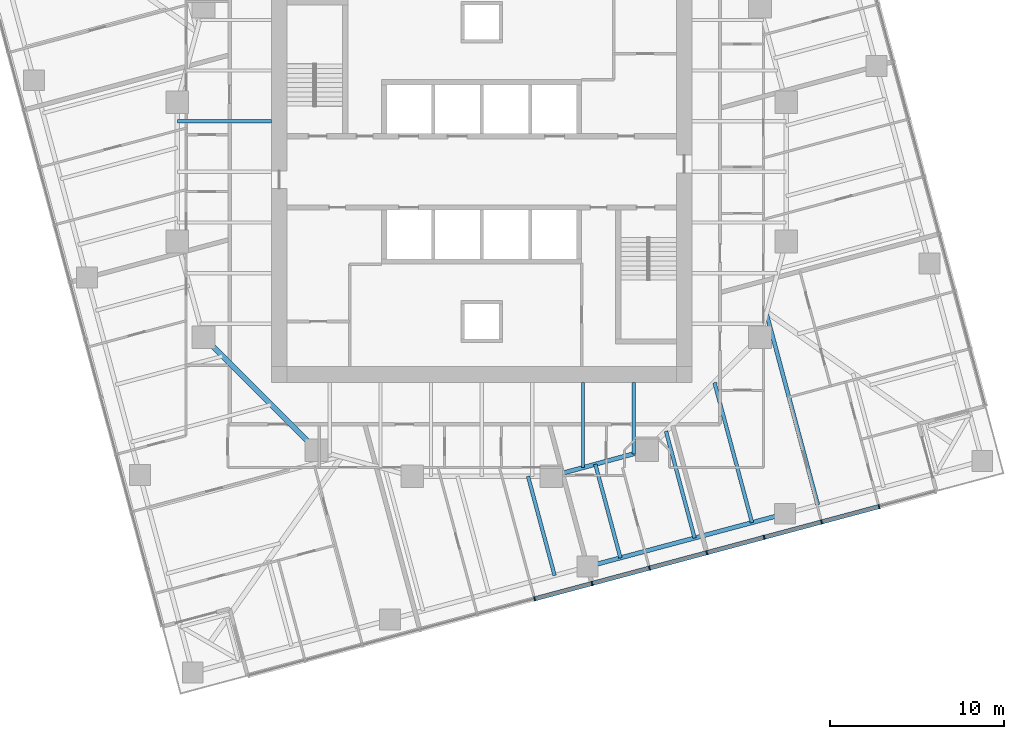
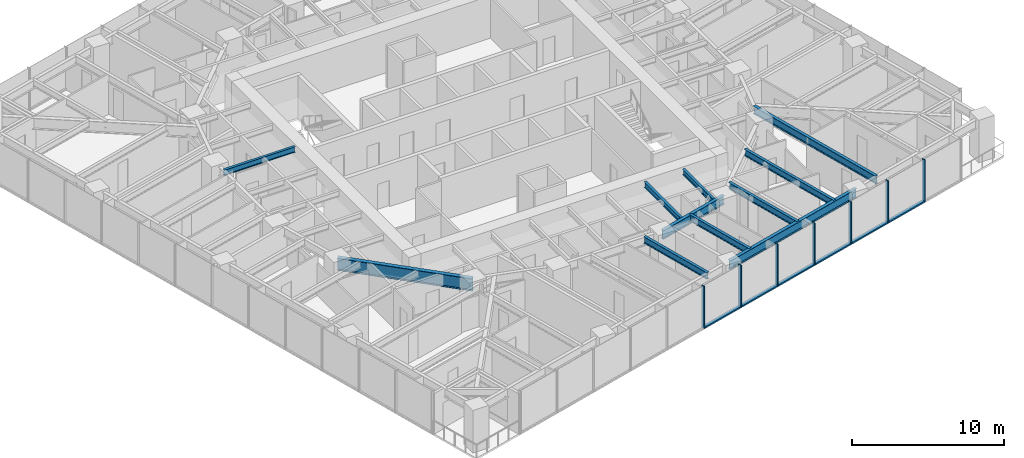
# One storey, part 3 of 14: 13 members, 11 beams, 1 element without a shape of its own.
"""IFC4 building model written with IfcOpenShell, lengths in metres."""

from ifc_helpers import new_model, si_unit, direction, frame, origin, origin_2d, place, context, subcontext, project, spatial, rectangle, i_section, extrude, material, material_profile, profile_set, type_object, element, aggregate, save


model = new_model("IFC4")

# Units and contexts
model_context = context("Model", 3, precision=1e-05, world=origin(), true_north=direction((0.0, 1.0)))
body_context = subcontext(model_context, "Body", "Model", "MODEL_VIEW")
ifc_project = project(units=[si_unit("LENGTHUNIT", "METRE"), si_unit("AREAUNIT", "SQUARE_METRE"), si_unit("VOLUMEUNIT", "CUBIC_METRE"), si_unit("PLANEANGLEUNIT", "RADIAN"), si_unit("MASSUNIT", "GRAM", prefix="KILO")], contexts=[model_context])

# Site, building, storey
site_placement = place(None, origin())
site = spatial("IfcSite", under=ifc_project, at=site_placement, CompositionType="ELEMENT")
building_placement = place(site_placement, origin())
building = spatial("IfcBuilding", under=site, at=building_placement, Name="Torsade Residences", CompositionType="ELEMENT")
storey_placement = place(building_placement, frame((0.0, 0.0, 125.199951171875)))
storey = spatial("IfcBuildingStorey", under=building, at=storey_placement, Name="L34", CompositionType="ELEMENT", Elevation=125.199951171875)

# Beams
ifc_material_1 = material(Name="Steel grade 300", Category="steel")
ifc_material_profile_1 = material_profile(ifc_material_1, i_section(OverallWidth=0.25, OverallDepth=0.699951171875, WebThickness=0.010009765625, FlangeThickness=0.02001953125, at=origin_2d()), Name="700WB130")
ifc_profile_set_1 = profile_set([ifc_material_profile_1], Name="Steel grade 300")
beam_type_1 = type_object("IfcBeamType", Name="EDGE BEAM 700WB130", PredefinedType="SPANDREL", material=ifc_profile_set_1)
beam_1_placement = place(storey_placement, frame((46.082275390625, 7.30078125, 2.900146484375), z_axis=(0.965928018634, 0.258810863021, 0.0), x_axis=(-0.258810863021, 0.965928018634, 0.0)))
element("IfcBeam", 1, at=beam_1_placement, inside=storey, type_object=beam_type_1, Name="Edge beam 03 L35", PredefinedType="SPANDREL", context=body_context, shape_type="SweptSolid", body=[
    extrude(i_section(OverallWidth=0.25, OverallDepth=0.699951171875, WebThickness=0.010009765625, FlangeThickness=0.02001953125, at=origin_2d()), origin(), (0.0, 0.0, 1.0), 11.75),
])
ifc_material_2 = material(Name="Steel grade 300", Category="steel")
ifc_material_profile_2 = material_profile(ifc_material_2, i_section(OverallWidth=0.18994140625, OverallDepth=0.4541015625, WebThickness=0.008544921875, FlangeThickness=0.0126953125, FilletRadius=0.011474609375, at=origin_2d()), Name="460UB67.1")
ifc_profile_set_2 = profile_set([ifc_material_profile_2], Name="Steel grade 300")
beam_type_2 = type_object("IfcBeamType", Name="INNER FLOOR BEAM 460UB67.1", PredefinedType="JOIST", material=ifc_profile_set_2)
beam_2_placement = place(storey_placement, frame((48.737548828125, 17.89990234375, 3.02294921875), z_axis=(0.0, -1.0, 0.0), x_axis=(1.0, 0.0, 0.0)))
element("IfcBeam", 2, at=beam_2_placement, inside=storey, type_object=beam_type_2, Name="Inner floor beam IS01 L35", PredefinedType="JOIST", context=body_context, shape_type="SweptSolid", body=[
    extrude(i_section(OverallWidth=0.18994140625, OverallDepth=0.4541015625, WebThickness=0.008544921875, FlangeThickness=0.0126953125, FilletRadius=0.011474609375, at=origin_2d()), origin(), (0.0, 0.0, 1.0), 4.10791015625),
])
beam_3_placement = place(storey_placement, frame((45.824951171875, 17.89990234375, 3.02294921875), z_axis=(0.0, -1.0, 0.0), x_axis=(1.0, 0.0, 0.0)))
element("IfcBeam", 3, at=beam_3_placement, inside=storey, type_object=beam_type_2, Name="Inner floor beam IS02 L35", PredefinedType="JOIST", context=body_context, shape_type="SweptSolid", body=[
    extrude(i_section(OverallWidth=0.18994140625, OverallDepth=0.4541015625, WebThickness=0.008544921875, FlangeThickness=0.0126953125, FilletRadius=0.011474609375, at=origin_2d()), origin(), (0.0, 0.0, 1.0), 4.902099609375),
])
beam_4_placement = place(storey_placement, frame((27.89990234375, 32.91259765625, 3.02294921875), z_axis=(-1.0, 0.0, 0.0), x_axis=(0.0, -1.0, 0.0)))
element("IfcBeam", 4, at=beam_4_placement, inside=storey, type_object=beam_type_2, Name="Inner floor beam IW03 L35", PredefinedType="JOIST", context=body_context, shape_type="SweptSolid", body=[
    extrude(i_section(OverallWidth=0.18994140625, OverallDepth=0.4541015625, WebThickness=0.008544921875, FlangeThickness=0.0126953125, FilletRadius=0.011474609375, at=origin_2d()), origin(), (0.0, 0.0, 1.0), 5.39990234375),
])

# Curtain wall, members
ifc_material_3 = material(Name="Aluminium and glass", Category="aluminium")
curtain_wall_type = type_object("IfcCurtainWallType", Name="FRITTED GLASS CURTAIN WALL MID ZONE", PredefinedType="NOTDEFINED", material=ifc_material_3)
curtain_wall_placement = place(storey_placement, origin())
curtain_wall = element("IfcCurtainWall", 5, at=curtain_wall_placement, inside=storey, type_object=curtain_wall_type, Name="Curtain wall L34 face 1", PredefinedType="NOTDEFINED")
ifc_material_4 = material(Name="Aluminium mullion", Category="aluminium")
ifc_material_profile_3 = material_profile(ifc_material_4, rectangle(XDim=0.25, YDim=0.080078125, at=origin_2d()), Name="MID ZONE CURTAIN WALL MULLION 250x80")
ifc_profile_set_3 = profile_set([ifc_material_profile_3], Name="Aluminium mullion")
member_type_1 = type_object("IfcMemberType", Name="MID ZONE CURTAIN WALL MULLION 250x80", PredefinedType="MULLION", material=ifc_profile_set_3)
member_1_placement = place(storey_placement, frame((43.040771484375, 5.450439453125, 0.0), z_axis=(0.0, 0.0, 1.0), x_axis=(-0.258819047783, 0.965925825571, 0.0)))
member_1 = element("IfcMember", 6, at=member_1_placement, type_object=member_type_1, Name="Mullion 6", PredefinedType="MULLION", context=body_context, shape_type="SweptSolid", body=[
    extrude(rectangle(XDim=0.25, YDim=0.080078125, at=origin_2d()), origin(), (0.0, 0.0, 1.0), 3.400146484375),
])
member_2_placement = place(storey_placement, frame((46.341064453125, 6.334716796875, 0.0), z_axis=(0.0, 0.0, 1.0), x_axis=(-0.258819047783, 0.965925825571, 0.0)))
member_2 = element("IfcMember", 7, at=member_2_placement, type_object=member_type_1, Name="Mullion 7", PredefinedType="MULLION", context=body_context, shape_type="SweptSolid", body=[
    extrude(rectangle(XDim=0.25, YDim=0.080078125, at=origin_2d()), origin(), (0.0, 0.0, 1.0), 3.400146484375),
])
member_3_placement = place(storey_placement, frame((49.641357421875, 7.218994140625, 0.0), z_axis=(0.0, 0.0, 1.0), x_axis=(-0.258819047783, 0.965925825571, 0.0)))
member_3 = element("IfcMember", 8, at=member_3_placement, type_object=member_type_1, Name="Mullion 8", PredefinedType="MULLION", context=body_context, shape_type="SweptSolid", body=[
    extrude(rectangle(XDim=0.25, YDim=0.080078125, at=origin_2d()), origin(), (0.0, 0.0, 1.0), 3.400146484375),
])
member_4_placement = place(storey_placement, frame((52.941650390625, 8.103515625, 0.0), z_axis=(0.0, 0.0, 1.0), x_axis=(-0.258819047783, 0.965925825571, 0.0)))
member_4 = element("IfcMember", 9, at=member_4_placement, type_object=member_type_1, Name="Mullion 9", PredefinedType="MULLION", context=body_context, shape_type="SweptSolid", body=[
    extrude(rectangle(XDim=0.25, YDim=0.080078125, at=origin_2d()), origin(), (0.0, 0.0, 1.0), 3.400146484375),
])
member_5_placement = place(storey_placement, frame((56.24169921875, 8.98779296875, 0.0), z_axis=(0.0, 0.0, 1.0), x_axis=(-0.258819047783, 0.965925825571, 0.0)))
member_5 = element("IfcMember", 10, at=member_5_placement, type_object=member_type_1, Name="Mullion 10", PredefinedType="MULLION", context=body_context, shape_type="SweptSolid", body=[
    extrude(rectangle(XDim=0.25, YDim=0.080078125, at=origin_2d()), origin(), (0.0, 0.0, 1.0), 3.400146484375),
])
member_6_placement = place(storey_placement, frame((59.5419921875, 9.8720703125, 0.0), z_axis=(0.0, 0.0, 1.0), x_axis=(-0.258819047783, 0.965925825571, 0.0)))
member_6 = element("IfcMember", 11, at=member_6_placement, type_object=member_type_1, Name="Mullion 11", PredefinedType="MULLION", context=body_context, shape_type="SweptSolid", body=[
    extrude(rectangle(XDim=0.25, YDim=0.080078125, at=origin_2d()), origin(), (0.0, 0.0, 1.0), 3.400146484375),
])
member_7_placement = place(storey_placement, frame((62.84228515625, 10.75634765625, 0.0), z_axis=(0.0, 0.0, 1.0), x_axis=(-0.258819047783, 0.965925825571, 0.0)))
member_7 = element("IfcMember", 12, at=member_7_placement, type_object=member_type_1, Name="Mullion 12", PredefinedType="MULLION", context=body_context, shape_type="SweptSolid", body=[
    extrude(rectangle(XDim=0.25, YDim=0.080078125, at=origin_2d()), origin(), (0.0, 0.0, 1.0), 3.400146484375),
])
ifc_material_5 = material(Name="Aluminium transom", Category="aluminium")
ifc_material_profile_4 = material_profile(ifc_material_5, rectangle(XDim=0.25, YDim=0.110107421875, at=origin_2d()), Name="MID ZONE CURTAIN WALL TRANSOM 250x110")
ifc_profile_set_4 = profile_set([ifc_material_profile_4], Name="Aluminium transom")
member_type_2 = type_object("IfcMemberType", Name="MID ZONE CURTAIN WALL TRANSOM 250x110", PredefinedType="USERDEFINED", material=ifc_profile_set_4)
member_8_placement = place(storey_placement, frame((43.079345703125, 5.4609375, 0.054931640625), z_axis=(0.965934335648, 0.258787285653, 0.0), x_axis=(-0.258787285653, 0.965934335648, 0.0)))
member_8 = element("IfcMember", 13, at=member_8_placement, type_object=member_type_2, Name="Transom 6.1", ObjectType="TRANSOM", PredefinedType="USERDEFINED", context=body_context, shape_type="SweptSolid", body=[
    extrude(rectangle(XDim=0.25, YDim=0.110107421875, at=origin_2d()), origin(), (0.0, 0.0, 1.0), 3.3369140625),
])
member_9_placement = place(storey_placement, frame((46.379638671875, 6.34521484375, 0.054931640625), z_axis=(0.965934335648, 0.258787285653, 0.0), x_axis=(-0.258787285653, 0.965934335648, 0.0)))
member_9 = element("IfcMember", 14, at=member_9_placement, type_object=member_type_2, Name="Transom 7.1", ObjectType="TRANSOM", PredefinedType="USERDEFINED", context=body_context, shape_type="SweptSolid", body=[
    extrude(rectangle(XDim=0.25, YDim=0.110107421875, at=origin_2d()), origin(), (0.0, 0.0, 1.0), 3.3369140625),
])
member_10_placement = place(storey_placement, frame((49.679931640625, 7.2294921875, 0.054931640625), z_axis=(0.965929435155, 0.258805576255, 0.0), x_axis=(-0.258805576255, 0.965929435155, 0.0)))
member_10 = element("IfcMember", 15, at=member_10_placement, type_object=member_type_2, Name="Transom 8.1", ObjectType="TRANSOM", PredefinedType="USERDEFINED", context=body_context, shape_type="SweptSolid", body=[
    extrude(rectangle(XDim=0.25, YDim=0.110107421875, at=origin_2d()), origin(), (0.0, 0.0, 1.0), 3.336669921875),
])
member_11_placement = place(storey_placement, frame((52.980224609375, 8.11376953125, 0.054931640625), z_axis=(0.965929435155, 0.258805576255, 0.0), x_axis=(-0.258805576255, 0.965929435155, 0.0)))
member_11 = element("IfcMember", 16, at=member_11_placement, type_object=member_type_2, Name="Transom 9.1", ObjectType="TRANSOM", PredefinedType="USERDEFINED", context=body_context, shape_type="SweptSolid", body=[
    extrude(rectangle(XDim=0.25, YDim=0.110107421875, at=origin_2d()), origin(), (0.0, 0.0, 1.0), 3.336669921875),
])
member_12_placement = place(storey_placement, frame((56.280517578125, 8.998046875, 0.054931640625), z_axis=(0.965929435155, 0.258805576255, 0.0), x_axis=(-0.258805576255, 0.965929435155, 0.0)))
member_12 = element("IfcMember", 17, at=member_12_placement, type_object=member_type_2, Name="Transom 10.1", ObjectType="TRANSOM", PredefinedType="USERDEFINED", context=body_context, shape_type="SweptSolid", body=[
    extrude(rectangle(XDim=0.25, YDim=0.110107421875, at=origin_2d()), origin(), (0.0, 0.0, 1.0), 3.336669921875),
])
member_13_placement = place(storey_placement, frame((59.580810546875, 9.88232421875, 0.054931640625), z_axis=(0.965929435155, 0.258805576255, 0.0), x_axis=(-0.258805576255, 0.965929435155, 0.0)))
member_13 = element("IfcMember", 18, at=member_13_placement, type_object=member_type_2, Name="Transom 11.1", ObjectType="TRANSOM", PredefinedType="USERDEFINED", context=body_context, shape_type="SweptSolid", body=[
    extrude(rectangle(XDim=0.25, YDim=0.110107421875, at=origin_2d()), origin(), (0.0, 0.0, 1.0), 3.336669921875),
])
aggregate(curtain_wall, [member_1, member_2, member_3, member_4, member_5, member_6, member_7, member_8, member_9, member_10, member_11, member_12, member_13])

# Beams
ifc_material_6 = material(Name="Steel grade 300", Category="steel")
ifc_material_profile_5 = material_profile(ifc_material_6, i_section(OverallWidth=0.300048828125, OverallDepth=1.0, WebThickness=0.01611328125, FlangeThickness=0.028076171875, at=origin_2d()), Name="1000WB215")
ifc_profile_set_5 = profile_set([ifc_material_profile_5], Name="Steel grade 300")
beam_type_3 = type_object("IfcBeamType", Name="RING CORNER GIRDER 1000WB215", PredefinedType="BEAM", material=ifc_profile_set_5)
beam_5_placement = place(storey_placement, frame((24.0, 20.5, 2.75), z_axis=(0.707106781187, -0.707106781187, 0.0), x_axis=(0.707106781187, 0.707106781187, 0.0)))
element("IfcBeam", 19, at=beam_5_placement, inside=storey, type_object=beam_type_3, Name="Ring girder IR11 L35", PredefinedType="BEAM", context=body_context, shape_type="SweptSolid", body=[
    extrude(i_section(OverallWidth=0.300048828125, OverallDepth=1.0, WebThickness=0.01611328125, FlangeThickness=0.028076171875, at=origin_2d()), origin(), (0.0, 0.0, 1.0), 9.1923828125),
])
ifc_material_7 = material(Name="Steel grade 300", Category="steel")
ifc_material_profile_6 = material_profile(ifc_material_7, i_section(OverallWidth=0.25, OverallDepth=0.699951171875, WebThickness=0.010009765625, FlangeThickness=0.02001953125, at=origin_2d()), Name="700WB130")
ifc_profile_set_6 = profile_set([ifc_material_profile_6], Name="Steel grade 300")
beam_type_4 = type_object("IfcBeamType", Name="RING GIRDER 700WB130", PredefinedType="BEAM", material=ifc_profile_set_6)
beam_6_placement = place(storey_placement, frame((44.0, 12.5, 2.900146484375), z_axis=(0.964763821238, 0.263117405792, 0.0), x_axis=(-0.263117405792, 0.964763821238, 0.0)))
element("IfcBeam", 20, at=beam_6_placement, inside=storey, type_object=beam_type_4, Name="Ring girder IR14 L35", PredefinedType="BEAM", context=body_context, shape_type="SweptSolid", body=[
    extrude(i_section(OverallWidth=0.25, OverallDepth=0.699951171875, WebThickness=0.010009765625, FlangeThickness=0.02001953125, at=origin_2d()), origin(), (0.0, 0.0, 1.0), 5.700927734375),
])
ifc_material_8 = material(Name="Steel grade 300", Category="steel")
ifc_material_profile_7 = material_profile(ifc_material_8, i_section(OverallWidth=0.208984375, OverallDepth=0.528076171875, WebThickness=0.009521484375, FlangeThickness=0.01318359375, FilletRadius=0.013916015625, at=origin_2d()), Name="530UB82.0")
ifc_profile_set_7 = profile_set([ifc_material_profile_7], Name="Steel grade 300")
beam_type_5 = type_object("IfcBeamType", Name="SECONDARY BEAM 530UB82.0", PredefinedType="JOIST", material=ifc_profile_set_7)
beam_7_placement = place(storey_placement, frame((44.190673828125, 6.7939453125, 2.986083984375), z_axis=(-0.258837996141, 0.965920748174, 0.0), x_axis=(-0.965920748174, -0.258837996141, 0.0)))
element("IfcBeam", 21, at=beam_7_placement, inside=storey, type_object=beam_type_5, Name="Floor beam FS06 L35", PredefinedType="JOIST", context=body_context, shape_type="SweptSolid", body=[
    extrude(i_section(OverallWidth=0.208984375, OverallDepth=0.528076171875, WebThickness=0.009521484375, FlangeThickness=0.01318359375, FilletRadius=0.013916015625, at=origin_2d()), origin(), (0.0, 0.0, 1.0), 5.907470703125),
])
beam_8_placement = place(storey_placement, frame((47.973876953125, 7.8076171875, 2.986083984375), z_axis=(-0.258829517553, 0.965923020144, 0.0), x_axis=(-0.965923020144, -0.258829517553, 0.0)))
element("IfcBeam", 22, at=beam_8_placement, inside=storey, type_object=beam_type_5, Name="Floor beam FS07 L35", PredefinedType="JOIST", context=body_context, shape_type="SweptSolid", body=[
    extrude(i_section(OverallWidth=0.208984375, OverallDepth=0.528076171875, WebThickness=0.009521484375, FlangeThickness=0.01318359375, FilletRadius=0.013916015625, at=origin_2d()), origin(), (0.0, 0.0, 1.0), 5.57275390625),
])
beam_9_placement = place(storey_placement, frame((52.239990234375, 8.95068359375, 2.986083984375), z_axis=(-0.258804520856, 0.965929717932, 0.0), x_axis=(-0.965929717932, -0.258804520856, 0.0)))
element("IfcBeam", 23, at=beam_9_placement, inside=storey, type_object=beam_type_5, Name="Floor beam FS08 L35", PredefinedType="JOIST", context=body_context, shape_type="SweptSolid", body=[
    extrude(i_section(OverallWidth=0.208984375, OverallDepth=0.528076171875, WebThickness=0.009521484375, FlangeThickness=0.01318359375, FilletRadius=0.013916015625, at=origin_2d()), origin(), (0.0, 0.0, 1.0), 6.360107421875),
])
beam_10_placement = place(storey_placement, frame((55.540283203125, 9.8349609375, 2.986083984375), z_axis=(-0.258833232221, 0.96592202475, 0.0), x_axis=(-0.96592202475, -0.258833232221, 0.0)))
element("IfcBeam", 24, at=beam_10_placement, inside=storey, type_object=beam_type_5, Name="Floor beam FS09 L35", PredefinedType="JOIST", context=body_context, shape_type="SweptSolid", body=[
    extrude(i_section(OverallWidth=0.208984375, OverallDepth=0.528076171875, WebThickness=0.009521484375, FlangeThickness=0.01318359375, FilletRadius=0.013916015625, at=origin_2d()), origin(), (0.0, 0.0, 1.0), 8.33251953125),
])
ifc_material_9 = material(Name="Steel grade 300", Category="steel")
ifc_material_profile_8 = material_profile(ifc_material_9, i_section(OverallWidth=0.22900390625, OverallDepth=0.612060546875, WebThickness=0.011962890625, FlangeThickness=0.01953125, FilletRadius=0.013916015625, at=origin_2d()), Name="610UB125")
ifc_profile_set_8 = profile_set([ifc_material_profile_8], Name="Steel grade 300")
beam_type_6 = type_object("IfcBeamType", Name="SECONDARY BEAM 610UB125", PredefinedType="JOIST", material=ifc_profile_set_8)
beam_11_placement = place(storey_placement, frame((59.323486328125, 10.8486328125, 2.944091796875), z_axis=(-0.258807068179, 0.965929035417, 0.0), x_axis=(-0.965929035417, -0.258807068179, 0.0)))
element("IfcBeam", 25, at=beam_11_placement, inside=storey, type_object=beam_type_6, Name="Floor beam FS10 L35", PredefinedType="JOIST", context=body_context, shape_type="SweptSolid", body=[
    extrude(i_section(OverallWidth=0.22900390625, OverallDepth=0.612060546875, WebThickness=0.011962890625, FlangeThickness=0.01953125, FilletRadius=0.013916015625, at=origin_2d()), origin(), (0.0, 0.0, 1.0), 11.40380859375),
])

save(model, "model.ifc")
